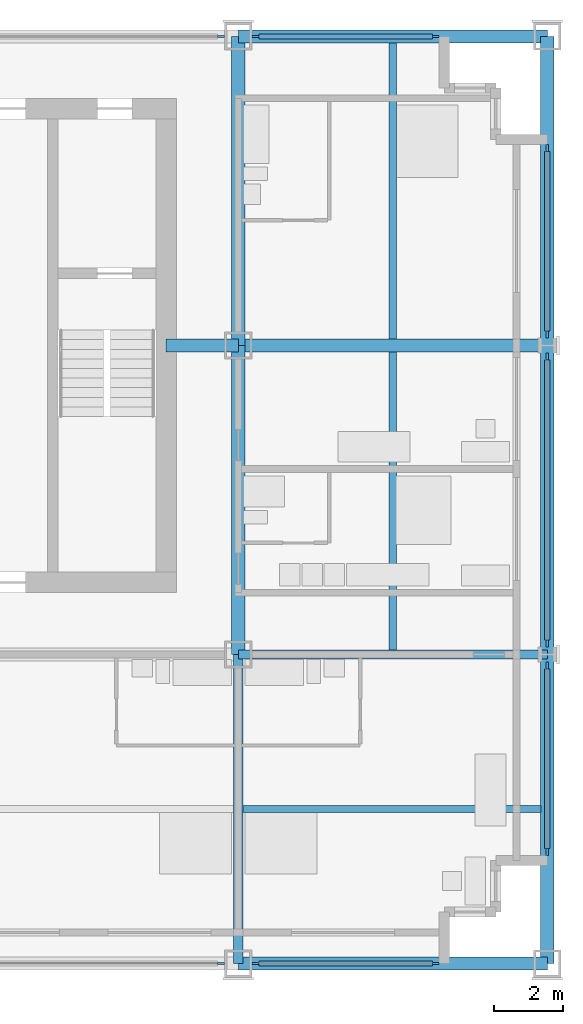
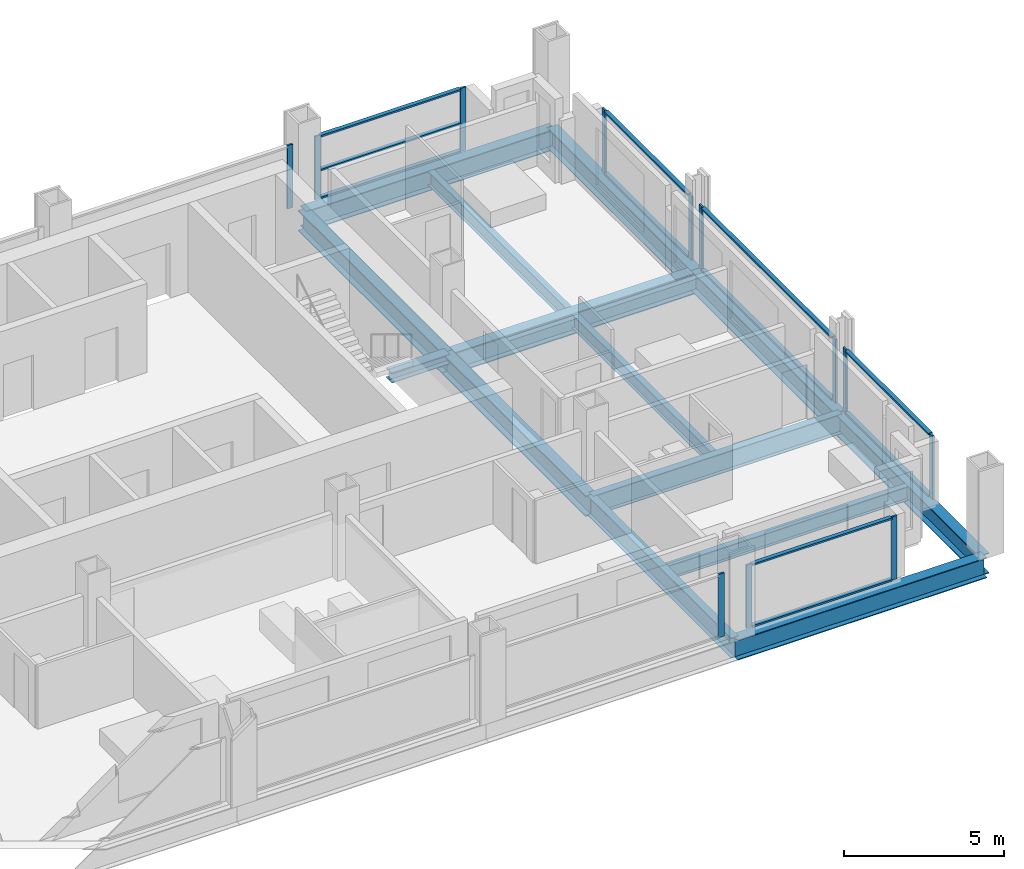
# One storey, part 5 of 13: 24 members, 13 beams, 7 elements without a shape of their own.
"""IFC4 building model written with IfcOpenShell, lengths in metres."""

import ifcopenshell
import ifcopenshell.guid

model = None  # the IFC model being written
_history = None  # IfcOwnerHistory: only IFC2X3 demands one
_inside = {}  # id of a spatial element -> (the spatial element, [elements in it])
_under = {}  # id of a project, library or spatial element -> (it, [spatial elements below it])
_declared = {}  # id of a project -> (the project, [libraries it declares])
_typed = {}  # id of a type object -> (the type object, [elements of that type])
_made_of = {}  # id of a material, layer set ... -> (it, [elements and type objects made of it])


def new_model(schema):
    """Start an empty IFC model of exactly this schema.

    Asked for "IFC4X3", IfcOpenShell would pick the latest addendum, in which some entities
    have other attributes; the version numbers below select the first issue.
    IFC2X3 requires an IfcOwnerHistory on every rooted entity: one is made here for all.
    """
    global model, _history
    if schema == "IFC4X3":
        model = ifcopenshell.file(schema_version=(4, 3, 0, 0))
    else:
        model = ifcopenshell.file(schema=schema)
    _inside.clear()
    _under.clear()
    _declared.clear()
    _typed.clear()
    _made_of.clear()
    _history = None
    if model.schema == "IFC2X3":
        org = make("IfcOrganization", Name="unknown")
        user = make(
            "IfcPersonAndOrganization",
            ThePerson=make("IfcPerson", FamilyName="unknown"),
            TheOrganization=org,
        )
        app = make(
            "IfcApplication",
            ApplicationDeveloper=org,
            Version="unknown",
            ApplicationFullName="unknown",
            ApplicationIdentifier="unknown",
        )
        _history = make(
            "IfcOwnerHistory",
            OwningUser=user,
            OwningApplication=app,
            ChangeAction="ADDED",
            CreationDate=0,
        )
    return model


def make(cls, **values):
    """One entity of the class cls with the attributes given. An attribute that is None is left unset."""
    return model.create_entity(
        cls, **{name: value for name, value in values.items() if value is not None}
    )


def rooted(cls, **values):
    """An entity with a GlobalId (a new one), such as an element, a storey or a relation."""
    return make(cls, GlobalId=ifcopenshell.guid.new(), OwnerHistory=_history, **values)


def si_unit(unit_type, name, prefix=None):
    """IfcSIUnit, for example si_unit("LENGTHUNIT", "METRE", prefix="MILLI")."""
    return make("IfcSIUnit", UnitType=unit_type, Prefix=prefix, Name=name)


def assignment(units):
    """IfcUnitAssignment: the units of a project."""
    return None if units is None else make("IfcUnitAssignment", Units=units)


def point(xyz):
    """IfcCartesianPoint."""
    return None if xyz is None else make("IfcCartesianPoint", Coordinates=xyz)


def direction(xyz):
    """IfcDirection."""
    return None if xyz is None else make("IfcDirection", DirectionRatios=xyz)


def frame(location, z_axis=None, x_axis=None):
    """IfcAxis2Placement3D, a coordinate frame: its origin and axes. An axis left out is left unset."""
    return make(
        "IfcAxis2Placement3D",
        Location=point(location),
        Axis=direction(z_axis),
        RefDirection=direction(x_axis),
    )


def frame_2d(location, x_axis=None):
    """IfcAxis2Placement2D, a coordinate frame in the plane: its origin and x axis."""
    return make(
        "IfcAxis2Placement2D", Location=point(location), RefDirection=direction(x_axis)
    )


def origin():
    """The frame at (0, 0, 0) with its axes left unset."""
    return frame((0.0, 0.0, 0.0))


def origin_2d():
    """The frame at (0, 0) in the plane with its x axis left unset."""
    return frame_2d((0.0, 0.0))


def place(relative_to, where):
    """IfcLocalPlacement: puts the frame where relative to a parent placement (None: the world)."""
    return make(
        "IfcLocalPlacement", PlacementRelTo=relative_to, RelativePlacement=where
    )


def context(
    kind, dimensions, precision=None, world=None, true_north=None, identifier=None
):
    """IfcGeometricRepresentationContext, for example the 3D "Model" context."""
    return make(
        "IfcGeometricRepresentationContext",
        ContextIdentifier=identifier,
        ContextType=kind,
        CoordinateSpaceDimension=dimensions,
        Precision=precision,
        WorldCoordinateSystem=world,
        TrueNorth=true_north,
    )


def subcontext(parent, identifier, kind, view, scale=None):
    """IfcGeometricRepresentationSubContext, for example "Body" below "Model"."""
    return make(
        "IfcGeometricRepresentationSubContext",
        ContextIdentifier=identifier,
        ContextType=kind,
        ParentContext=parent,
        TargetScale=scale,
        TargetView=view,
    )


def project(units=None, contexts=None):
    """IfcProject with its units and contexts."""
    return rooted(
        "IfcProject",
        Name="project",
        RepresentationContexts=contexts,
        UnitsInContext=assignment(units),
    )


def spatial(cls, under=None, at=None, **own):
    """A site, building, storey or space (cls), placed at a placement, below another one or the project."""
    s = rooted(cls, ObjectPlacement=at, **own)
    if under is not None:
        _under.setdefault(under.id(), (under, []))[1].append(s)
    return s


def profile(cls, at=None, kind="AREA", **sizes):
    """A parametric profile (cls). Its sizes go by their IFC names, for example OverallWidth=200.0."""
    return make(cls, ProfileType=kind, Position=at, **sizes)


def rectangle(**sizes):
    """IfcRectangleProfileDef."""
    return profile("IfcRectangleProfileDef", **sizes)


def i_section(**sizes):
    """IfcIShapeProfileDef."""
    return profile("IfcIShapeProfileDef", **sizes)


def extrude(swept, where, along, depth):
    """IfcExtrudedAreaSolid: the profile swept, set in the frame where, extruded along a direction by depth."""
    return make(
        "IfcExtrudedAreaSolid",
        SweptArea=swept,
        Position=where,
        ExtrudedDirection=direction(along),
        Depth=depth,
    )


def shape(context_of_items, identifier, shape_type, items):
    """IfcShapeRepresentation: the items that make up one representation, for example the "Body"."""
    return make(
        "IfcShapeRepresentation",
        ContextOfItems=context_of_items,
        RepresentationIdentifier=identifier,
        RepresentationType=shape_type,
        Items=items,
    )


def material(Name=None, Category=None):
    """IfcMaterial."""
    return make("IfcMaterial", Name=Name, Category=Category)


def material_profile(
    of_material, cross_section, Name=None, Category=None, Priority=None
):
    """IfcMaterialProfile: a cross section and its material."""
    return make(
        "IfcMaterialProfile",
        Name=Name,
        Material=of_material,
        Profile=cross_section,
        Priority=Priority,
        Category=Category,
    )


def profile_set(profiles, Name=None, composite=None):
    """IfcMaterialProfileSet."""
    return make(
        "IfcMaterialProfileSet",
        Name=Name,
        MaterialProfiles=profiles,
        CompositeProfile=composite,
    )


def made_of(thing, what):
    """Note that an element or type object is made of a material, layer set ...; save() writes the relation."""
    if what is not None:
        _made_of.setdefault(what.id(), (what, []))[1].append(thing)
    return thing


def type_object(cls, material=None, **own):
    """A type object (cls), such as IfcWallType, which elements share."""
    return made_of(rooted(cls, **own), material)


def element(
    cls,
    number,
    at=None,
    inside=None,
    cuts=None,
    type_object=None,
    material=None,
    context=None,
    identifier="Body",
    shape_type=None,
    held_by="IfcProductDefinitionShape",
    body=None,
    shapes=None,
    **own,
):
    """One element of the class cls, such as IfcWall. Its Tag is "e" and its number.

    at: its placement. inside: the storey or other place that contains it. cuts: it is an
    opening in that element (IfcRelVoidsElement). A single representation is given by context,
    identifier, shape_type and body (its items); several are given by shapes. held_by: the class
    of the entity that holds the representations. save() writes the other relations.
    """
    e = rooted(cls, Tag="e%d" % number, ObjectPlacement=at, **own)
    if body is not None:
        shapes = [shape(context, identifier, shape_type, body)]
    if shapes is not None:
        e.Representation = make(held_by, Representations=shapes)
    if inside is not None:
        _inside.setdefault(inside.id(), (inside, []))[1].append(e)
    if cuts is not None:
        rooted(
            "IfcRelVoidsElement", RelatingBuildingElement=cuts, RelatedOpeningElement=e
        )
    if type_object is not None:
        _typed.setdefault(type_object.id(), (type_object, []))[1].append(e)
    return made_of(e, material)


def aggregate(whole, parts):
    """IfcRelAggregates: a whole, such as a stair, and the parts it consists of."""
    return rooted("IfcRelAggregates", RelatingObject=whole, RelatedObjects=parts)


def save(model, path):
    """Write the relations noted so far, then the file.

    IfcRelAggregates (storeys below a building ...), IfcRelContainedInSpatialStructure (elements
    in a storey), IfcRelDefinesByType, IfcRelAssociatesMaterial and IfcRelDeclares: one each for
    every whole, place, type object, material and project.
    """
    for whole, parts in _under.values():
        aggregate(whole, parts)
    for where, things in _inside.values():
        rooted(
            "IfcRelContainedInSpatialStructure",
            RelatedElements=things,
            RelatingStructure=where,
        )
    for kind, things in _typed.values():
        rooted("IfcRelDefinesByType", RelatedObjects=things, RelatingType=kind)
    for what, things in _made_of.values():
        rooted("IfcRelAssociatesMaterial", RelatedObjects=things, RelatingMaterial=what)
    for by, libraries in _declared.values():
        rooted("IfcRelDeclares", RelatingContext=by, RelatedDefinitions=libraries)
    model.write(path)


model = new_model("IFC4")

# Units and contexts
model_context = context("Model", 3, precision=1e-05, world=origin(), true_north=direction((0.0, 1.0)))
body_context = subcontext(model_context, "Body", "Model", "MODEL_VIEW")
ifc_project = project(units=[si_unit("LENGTHUNIT", "METRE"), si_unit("AREAUNIT", "SQUARE_METRE"), si_unit("VOLUMEUNIT", "CUBIC_METRE"), si_unit("PLANEANGLEUNIT", "RADIAN"), si_unit("MASSUNIT", "GRAM", prefix="KILO")], contexts=[model_context])

# Site, building, storey
site_placement = place(None, origin())
site = spatial("IfcSite", under=ifc_project, at=site_placement, CompositionType="ELEMENT")
building_placement = place(site_placement, origin())
building = spatial("IfcBuilding", under=site, at=building_placement, Name="Loomwork Tower", CompositionType="ELEMENT")
storey_placement = place(building_placement, frame((0.0, 0.0, 177.39990234375)))
storey = spatial("IfcBuildingStorey", under=building, at=storey_placement, Name="L48", CompositionType="ELEMENT", Elevation=177.39990234375)

# Beams
ifc_material_1 = material(Name="Steel ASTM A992", Category="steel")
ifc_material_profile_1 = material_profile(ifc_material_1, i_section(OverallWidth=0.383544921875, OverallDepth=0.794921875, WebThickness=0.02099609375, FlangeThickness=0.0380859375, at=origin_2d()), Name="W30x235")
ifc_profile_set_1 = profile_set([ifc_material_profile_1], Name="Steel ASTM A992")
beam_type_1 = type_object("IfcBeamType", Name="CORE FLANK GIRDER W30x235", PredefinedType="BEAM", material=ifc_profile_set_1)
for number, where, z_axis, x_axis, name in (
    (1, (36.0, 18.0, -0.597412109375), (1.0, 0.0, 0.0), (0.0, 1.0, 0.0), "Core Flank Girder F/6-F/7 L48"),
    (2, (36.0, 9.0, -0.597412109375), (0.0, 1.0, 0.0), (-1.0, 0.0, 0.0), "Core Flank Girder E/6-F/6 L48"),
    (3, (36.0, 18.0, -0.597412109375), (0.0, 1.0, 0.0), (-1.0, 0.0, 0.0), "Core Flank Girder F/6-G/6 L48"),
):
    element("IfcBeam", number, at=place(storey_placement, frame(where, z_axis=z_axis, x_axis=x_axis)), inside=storey, type_object=beam_type_1, Name=name, PredefinedType="BEAM", context=body_context, shape_type="SweptSolid", body=[
        extrude(i_section(OverallWidth=0.383544921875, OverallDepth=0.794921875, WebThickness=0.02099609375, FlangeThickness=0.0380859375, at=origin_2d()), origin(), (0.0, 0.0, 1.0), 9.0),
    ])

# Member
ifc_material_2 = material(Name="Steel ASTM A992", Category="steel")
ifc_material_profile_2 = material_profile(ifc_material_2, i_section(OverallWidth=0.373291015625, OverallDepth=0.373291015625, WebThickness=0.016357421875, FlangeThickness=0.026123046875, at=origin_2d()), Name="W14x132")
ifc_profile_set_2 = profile_set([ifc_material_profile_2], Name="Steel ASTM A992")
member_type_1 = type_object("IfcMemberType", Name="CORE LINK STRUT W14x132", PredefinedType="STRUT", material=ifc_profile_set_2)
member_1_placement = place(storey_placement, frame((36.0, 18.0, -0.386474609375), z_axis=(-1.0, 0.0, 0.0), x_axis=(0.0, -1.0, 0.0)))
element("IfcMember", 4, at=member_1_placement, inside=storey, type_object=member_type_1, Name="Core link strut F/6-33.900,18.000 L48", PredefinedType="STRUT", context=body_context, shape_type="SweptSolid", body=[
    extrude(i_section(OverallWidth=0.373291015625, OverallDepth=0.373291015625, WebThickness=0.016357421875, FlangeThickness=0.026123046875, at=origin_2d()), origin(), (0.0, 0.0, 1.0), 2.10009765625),
])

# Beams
ifc_material_3 = material(Name="Steel ASTM A992", Category="steel")
ifc_material_profile_3 = material_profile(ifc_material_3, i_section(OverallWidth=0.2666015625, OverallDepth=0.761962890625, WebThickness=0.014404296875, FlangeThickness=0.021484375, at=origin_2d()), Name="W30x116")
ifc_profile_set_3 = profile_set([ifc_material_profile_3], Name="Steel ASTM A992")
beam_type_2 = type_object("IfcBeamType", Name="FLOOR GIRDER W30x116", PredefinedType="BEAM", material=ifc_profile_set_3)
for number, where, z_axis, x_axis, name in (
    (5, (36.0, 9.0, -0.580810546875), (1.0, 0.0, 0.0), (0.0, 1.0, 0.0), "Floor Girder E/6-E/7 L48"),
    (6, (36.0, 0.0, -0.580810546875), (0.0, 1.0, 0.0), (-1.0, 0.0, 0.0), "Floor Girder D/6-E/6 L48"),
):
    element("IfcBeam", number, at=place(storey_placement, frame(where, z_axis=z_axis, x_axis=x_axis)), inside=storey, type_object=beam_type_2, Name=name, PredefinedType="BEAM", context=body_context, shape_type="SweptSolid", body=[
        extrude(i_section(OverallWidth=0.2666015625, OverallDepth=0.761962890625, WebThickness=0.014404296875, FlangeThickness=0.021484375, at=origin_2d()), origin(), (0.0, 0.0, 1.0), 9.0),
    ])
ifc_material_4 = material(Name="Steel ASTM A992", Category="steel")
ifc_material_profile_4 = material_profile(ifc_material_4, i_section(OverallWidth=0.2109375, OverallDepth=0.53857421875, WebThickness=0.011474609375, FlangeThickness=0.018798828125, at=origin_2d()), Name="W21x73")
ifc_profile_set_4 = profile_set([ifc_material_profile_4], Name="Steel ASTM A992")
beam_type_3 = type_object("IfcBeamType", Name="FLOOR JOIST W21x73", PredefinedType="JOIST", material=ifc_profile_set_4)
beam_1_placement = place(storey_placement, frame((36.133056640625, 4.5, -0.46923828125), z_axis=(1.0, 0.0, 0.0), x_axis=(0.0, 1.0, 0.0)))
element("IfcBeam", 7, at=beam_1_placement, inside=storey, type_object=beam_type_3, Name="Floor Joist 36.000,4.500-45.000,4.500 L48", PredefinedType="JOIST", context=body_context, shape_type="SweptSolid", body=[
    extrude(i_section(OverallWidth=0.2109375, OverallDepth=0.53857421875, WebThickness=0.011474609375, FlangeThickness=0.018798828125, at=origin_2d()), origin(), (0.0, 0.0, 1.0), 8.677001953125),
])
beam_2_placement = place(storey_placement, frame((40.5, 9.133056640625, -0.46923828125), z_axis=(0.0, 1.0, 0.0), x_axis=(-1.0, 0.0, 0.0)))
element("IfcBeam", 8, at=beam_2_placement, inside=storey, type_object=beam_type_3, Name="Floor Joist 40.500,9.000-40.500,18.000 L48", PredefinedType="JOIST", context=body_context, shape_type="SweptSolid", body=[
    extrude(i_section(OverallWidth=0.2109375, OverallDepth=0.53857421875, WebThickness=0.011474609375, FlangeThickness=0.018798828125, at=origin_2d()), origin(), (0.0, 0.0, 1.0), 8.676025390625),
])
beam_3_placement = place(storey_placement, frame((40.5, 18.19091796875, -0.46923828125), z_axis=(0.0, 1.0, 0.0), x_axis=(-1.0, 0.0, 0.0)))
element("IfcBeam", 9, at=beam_3_placement, inside=storey, type_object=beam_type_3, Name="Floor Joist 40.500,18.000-40.500,27.000 L48", PredefinedType="JOIST", context=body_context, shape_type="SweptSolid", body=[
    extrude(i_section(OverallWidth=0.2109375, OverallDepth=0.53857421875, WebThickness=0.011474609375, FlangeThickness=0.018798828125, at=origin_2d()), origin(), (0.0, 0.0, 1.0), 8.619140625),
])

# Curtain wall, member
ifc_material_5 = material(Name="Aluminium curtain wall frame", Category="aluminium")
curtain_wall_type_1 = type_object("IfcCurtainWallType", Name="Outer skin glazing hotel", PredefinedType="NOTDEFINED", material=ifc_material_5)
curtain_wall_1_placement = place(storey_placement, origin())
curtain_wall_1 = element("IfcCurtainWall", 10, at=curtain_wall_1_placement, inside=storey, type_object=curtain_wall_type_1, Name="Outer skin glazing hotel cw/S-27", PredefinedType="NOTDEFINED")
ifc_material_6 = material(Name="Aluminium curtain wall frame", Category="aluminium")
ifc_material_profile_5 = material_profile(ifc_material_6, rectangle(XDim=0.06494140625, YDim=0.199951171875, at=origin_2d()), Name="AL 65x200")
ifc_profile_set_5 = profile_set([ifc_material_profile_5], Name="Aluminium curtain wall frame")
member_type_2 = type_object("IfcMemberType", Name="Outer skin glazing hotel mullion", PredefinedType="MULLION", material=ifc_profile_set_5)
member_2_placement = place(storey_placement, frame((35.5, 0.0, 0.0), z_axis=(0.0, 0.0, 1.0), x_axis=(0.0, 1.0, 0.0)))
member_2 = element("IfcMember", 11, at=member_2_placement, type_object=member_type_2, Name="CW1 mullion 2", PredefinedType="MULLION", context=body_context, shape_type="SweptSolid", body=[
    extrude(rectangle(XDim=0.06494140625, YDim=0.199951171875, at=origin_2d()), origin(), (0.0, 0.0, 1.0), 2.42041015625),
])
aggregate(curtain_wall_1, [member_2])

# Curtain wall, members
curtain_wall_2_placement = place(storey_placement, origin())
curtain_wall_2 = element("IfcCurtainWall", 12, at=curtain_wall_2_placement, inside=storey, type_object=curtain_wall_type_1, Name="Outer skin glazing hotel cw/S-36", PredefinedType="NOTDEFINED")
member_3_placement = place(storey_placement, frame((36.5, 0.0, 0.0), z_axis=(0.0, 0.0, 1.0), x_axis=(0.0, 1.0, 0.0)))
member_3 = element("IfcMember", 13, at=member_3_placement, type_object=member_type_2, Name="CW1 mullion 1", PredefinedType="MULLION", context=body_context, shape_type="SweptSolid", body=[
    extrude(rectangle(XDim=0.06494140625, YDim=0.199951171875, at=origin_2d()), origin(), (0.0, 0.0, 1.0), 2.42041015625),
])
member_4_placement = place(storey_placement, frame((41.75, 0.0, 0.0), z_axis=(0.0, 0.0, 1.0), x_axis=(0.0, 1.0, 0.0)))
member_4 = element("IfcMember", 14, at=member_4_placement, type_object=member_type_2, Name="CW1 mullion 2", PredefinedType="MULLION", context=body_context, shape_type="SweptSolid", body=[
    extrude(rectangle(XDim=0.06494140625, YDim=0.199951171875, at=origin_2d()), origin(), (0.0, 0.0, 1.0), 2.42041015625),
])

curtain_wall_3_placement = place(storey_placement, origin())
curtain_wall_3 = element("IfcCurtainWall", 15, at=curtain_wall_3_placement, inside=storey, type_object=curtain_wall_type_1, Name="Outer skin glazing hotel cw/E-0", PredefinedType="NOTDEFINED")
member_5_placement = place(storey_placement, frame((45.0, 3.25, 0.0), z_axis=(0.0, 0.0, 1.0), x_axis=(-1.0, 0.0, 0.0)))
member_5 = element("IfcMember", 16, at=member_5_placement, type_object=member_type_2, Name="CW1 mullion 1", PredefinedType="MULLION", context=body_context, shape_type="SweptSolid", body=[
    extrude(rectangle(XDim=0.06494140625, YDim=0.199951171875, at=origin_2d()), origin(), (0.0, 0.0, 1.0), 2.42041015625),
])
member_6_placement = place(storey_placement, frame((45.0, 8.67529296875, 0.0), z_axis=(0.0, 0.0, 1.0), x_axis=(-1.0, 0.0, 0.0)))
member_6 = element("IfcMember", 17, at=member_6_placement, type_object=member_type_2, Name="CW1 mullion 2", PredefinedType="MULLION", context=body_context, shape_type="SweptSolid", body=[
    extrude(rectangle(XDim=0.06494140625, YDim=0.199951171875, at=origin_2d()), origin(), (0.0, 0.0, 1.0), 2.42041015625),
])

curtain_wall_4_placement = place(storey_placement, origin())
curtain_wall_4 = element("IfcCurtainWall", 18, at=curtain_wall_4_placement, inside=storey, type_object=curtain_wall_type_1, Name="Outer skin glazing hotel cw/E-9", PredefinedType="NOTDEFINED")
member_7_placement = place(storey_placement, frame((45.0, 9.32470703125, 0.0), z_axis=(0.0, 0.0, 1.0), x_axis=(-1.0, 0.0, 0.0)))
member_7 = element("IfcMember", 19, at=member_7_placement, type_object=member_type_2, Name="CW1 mullion 1", PredefinedType="MULLION", context=body_context, shape_type="SweptSolid", body=[
    extrude(rectangle(XDim=0.06494140625, YDim=0.199951171875, at=origin_2d()), origin(), (0.0, 0.0, 1.0), 2.42041015625),
])
member_8_placement = place(storey_placement, frame((45.0, 17.67529296875, 0.0), z_axis=(0.0, 0.0, 1.0), x_axis=(-1.0, 0.0, 0.0)))
member_8 = element("IfcMember", 20, at=member_8_placement, type_object=member_type_2, Name="CW1 mullion 2", PredefinedType="MULLION", context=body_context, shape_type="SweptSolid", body=[
    extrude(rectangle(XDim=0.06494140625, YDim=0.199951171875, at=origin_2d()), origin(), (0.0, 0.0, 1.0), 2.42041015625),
])

curtain_wall_5_placement = place(storey_placement, origin())
curtain_wall_5 = element("IfcCurtainWall", 21, at=curtain_wall_5_placement, inside=storey, type_object=curtain_wall_type_1, Name="Outer skin glazing hotel cw/E-18", PredefinedType="NOTDEFINED")
member_9_placement = place(storey_placement, frame((45.0, 18.32470703125, 0.0), z_axis=(0.0, 0.0, 1.0), x_axis=(-1.0, 0.0, 0.0)))
member_9 = element("IfcMember", 22, at=member_9_placement, type_object=member_type_2, Name="CW1 mullion 1", PredefinedType="MULLION", context=body_context, shape_type="SweptSolid", body=[
    extrude(rectangle(XDim=0.06494140625, YDim=0.199951171875, at=origin_2d()), origin(), (0.0, 0.0, 1.0), 2.42041015625),
])
member_10_placement = place(storey_placement, frame((45.0, 23.75, 0.0), z_axis=(0.0, 0.0, 1.0), x_axis=(-1.0, 0.0, 0.0)))
member_10 = element("IfcMember", 23, at=member_10_placement, type_object=member_type_2, Name="CW1 mullion 2", PredefinedType="MULLION", context=body_context, shape_type="SweptSolid", body=[
    extrude(rectangle(XDim=0.06494140625, YDim=0.199951171875, at=origin_2d()), origin(), (0.0, 0.0, 1.0), 2.42041015625),
])

# Member
ifc_material_7 = material(Name="Aluminium curtain wall frame", Category="aluminium")
ifc_material_profile_6 = material_profile(ifc_material_7, rectangle(XDim=0.14990234375, YDim=0.06494140625, at=origin_2d()), Name="AL 65x150")
ifc_profile_set_6 = profile_set([ifc_material_profile_6], Name="Aluminium curtain wall frame")
member_type_3 = type_object("IfcMemberType", Name="Outer skin glazing hotel transom", PredefinedType="USERDEFINED", material=ifc_profile_set_6)
member_11_placement = place(storey_placement, frame((36.60009765625, 0.0, 0.03271484375), z_axis=(1.0, 0.0, 0.0), x_axis=(0.0, 1.0, 0.0)))
member_11 = element("IfcMember", 24, at=member_11_placement, type_object=member_type_3, Name="CW1 transom 1.1", ObjectType="TRANSOM", PredefinedType="USERDEFINED", context=body_context, shape_type="SweptSolid", body=[
    extrude(rectangle(XDim=0.14990234375, YDim=0.06494140625, at=origin_2d()), origin(), (0.0, 0.0, 1.0), 5.0498046875),
])

member_12_placement = place(storey_placement, frame((36.60009765625, 0.0, 2.3876953125), z_axis=(1.0, 0.0, 0.0), x_axis=(0.0, 1.0, 0.0)))
member_12 = element("IfcMember", 25, at=member_12_placement, type_object=member_type_3, Name="CW1 transom 1.2", ObjectType="TRANSOM", PredefinedType="USERDEFINED", context=body_context, shape_type="SweptSolid", body=[
    extrude(rectangle(XDim=0.14990234375, YDim=0.06494140625, at=origin_2d()), origin(), (0.0, 0.0, 1.0), 5.0498046875),
])

aggregate(curtain_wall_2, [member_3, member_4, member_11, member_12])

member_13_placement = place(storey_placement, frame((45.0, 3.35009765625, 0.03271484375), z_axis=(0.0, 1.0, 0.0), x_axis=(-1.0, 0.0, 0.0)))
member_13 = element("IfcMember", 26, at=member_13_placement, type_object=member_type_3, Name="CW1 transom 1.1", ObjectType="TRANSOM", PredefinedType="USERDEFINED", context=body_context, shape_type="SweptSolid", body=[
    extrude(rectangle(XDim=0.14990234375, YDim=0.06494140625, at=origin_2d()), origin(), (0.0, 0.0, 1.0), 5.22509765625),
])

member_14_placement = place(storey_placement, frame((45.0, 3.35009765625, 2.3876953125), z_axis=(0.0, 1.0, 0.0), x_axis=(-1.0, 0.0, 0.0)))
member_14 = element("IfcMember", 27, at=member_14_placement, type_object=member_type_3, Name="CW1 transom 1.2", ObjectType="TRANSOM", PredefinedType="USERDEFINED", context=body_context, shape_type="SweptSolid", body=[
    extrude(rectangle(XDim=0.14990234375, YDim=0.06494140625, at=origin_2d()), origin(), (0.0, 0.0, 1.0), 5.22509765625),
])

aggregate(curtain_wall_3, [member_5, member_6, member_13, member_14])

member_15_placement = place(storey_placement, frame((45.0, 9.4248046875, 0.03271484375), z_axis=(0.0, 1.0, 0.0), x_axis=(-1.0, 0.0, 0.0)))
member_15 = element("IfcMember", 28, at=member_15_placement, type_object=member_type_3, Name="CW1 transom 1.1", ObjectType="TRANSOM", PredefinedType="USERDEFINED", context=body_context, shape_type="SweptSolid", body=[
    extrude(rectangle(XDim=0.14990234375, YDim=0.06494140625, at=origin_2d()), origin(), (0.0, 0.0, 1.0), 8.150390625),
])

member_16_placement = place(storey_placement, frame((45.0, 9.4248046875, 2.3876953125), z_axis=(0.0, 1.0, 0.0), x_axis=(-1.0, 0.0, 0.0)))
member_16 = element("IfcMember", 29, at=member_16_placement, type_object=member_type_3, Name="CW1 transom 1.2", ObjectType="TRANSOM", PredefinedType="USERDEFINED", context=body_context, shape_type="SweptSolid", body=[
    extrude(rectangle(XDim=0.14990234375, YDim=0.06494140625, at=origin_2d()), origin(), (0.0, 0.0, 1.0), 8.150390625),
])

aggregate(curtain_wall_4, [member_7, member_8, member_15, member_16])

member_17_placement = place(storey_placement, frame((45.0, 18.4248046875, 0.03271484375), z_axis=(0.0, 1.0, 0.0), x_axis=(-1.0, 0.0, 0.0)))
member_17 = element("IfcMember", 30, at=member_17_placement, type_object=member_type_3, Name="CW1 transom 1.1", ObjectType="TRANSOM", PredefinedType="USERDEFINED", context=body_context, shape_type="SweptSolid", body=[
    extrude(rectangle(XDim=0.14990234375, YDim=0.06494140625, at=origin_2d()), origin(), (0.0, 0.0, 1.0), 5.22509765625),
])

member_18_placement = place(storey_placement, frame((45.0, 18.4248046875, 2.3876953125), z_axis=(0.0, 1.0, 0.0), x_axis=(-1.0, 0.0, 0.0)))
member_18 = element("IfcMember", 31, at=member_18_placement, type_object=member_type_3, Name="CW1 transom 1.2", ObjectType="TRANSOM", PredefinedType="USERDEFINED", context=body_context, shape_type="SweptSolid", body=[
    extrude(rectangle(XDim=0.14990234375, YDim=0.06494140625, at=origin_2d()), origin(), (0.0, 0.0, 1.0), 5.22509765625),
])

aggregate(curtain_wall_5, [member_9, member_10, member_17, member_18])

# Beams
ifc_material_8 = material(Name="Steel ASTM A992", Category="steel")
ifc_material_profile_7 = material_profile(ifc_material_8, i_section(OverallWidth=0.381103515625, OverallDepth=0.77978515625, WebThickness=0.01806640625, FlangeThickness=0.0302734375, at=origin_2d()), Name="W30x191")
ifc_profile_set_7 = profile_set([ifc_material_profile_7], Name="Steel ASTM A992")
beam_type_4 = type_object("IfcBeamType", Name="SPANDREL GIRDER W30x191", PredefinedType="SPANDREL", material=ifc_profile_set_7)
for number, where, z_axis, x_axis, name in (
    (32, (36.0, 0.0, -0.58984375), (1.0, 0.0, 0.0), (0.0, 1.0, 0.0), "Spandrel Girder D/6-D/7 L48"),
    (33, (36.0, 27.0, -0.58984375), (1.0, 0.0, 0.0), (0.0, 1.0, 0.0), "Spandrel Girder G/6-G/7 L48"),
    (34, (45.0, 0.0, -0.58984375), (0.0, 1.0, 0.0), (-1.0, 0.0, 0.0), "Spandrel Girder D/7-E/7 L48"),
    (35, (45.0, 9.0, -0.58984375), (0.0, 1.0, 0.0), (-1.0, 0.0, 0.0), "Spandrel Girder E/7-F/7 L48"),
    (36, (45.0, 18.0, -0.58984375), (0.0, 1.0, 0.0), (-1.0, 0.0, 0.0), "Spandrel Girder F/7-G/7 L48"),
):
    element("IfcBeam", number, at=place(storey_placement, frame(where, z_axis=z_axis, x_axis=x_axis)), inside=storey, type_object=beam_type_4, Name=name, PredefinedType="SPANDREL", context=body_context, shape_type="SweptSolid", body=[
        extrude(i_section(OverallWidth=0.381103515625, OverallDepth=0.77978515625, WebThickness=0.01806640625, FlangeThickness=0.0302734375, at=origin_2d()), origin(), (0.0, 0.0, 1.0), 9.0),
    ])

# Curtain wall, member
ifc_material_9 = material(Name="Aluminium curtain wall frame", Category="aluminium")
curtain_wall_type_2 = type_object("IfcCurtainWallType", Name="Single skin glazing corridor", PredefinedType="NOTDEFINED", material=ifc_material_9)
curtain_wall_6_placement = place(storey_placement, origin())
curtain_wall_6 = element("IfcCurtainWall", 37, at=curtain_wall_6_placement, inside=storey, type_object=curtain_wall_type_2, Name="Single skin glazing corridor cw/N-27", PredefinedType="NOTDEFINED")
ifc_material_10 = material(Name="Aluminium curtain wall frame", Category="aluminium")
ifc_material_profile_8 = material_profile(ifc_material_10, rectangle(XDim=0.06494140625, YDim=0.199951171875, at=origin_2d()), Name="AL 65x200")
ifc_profile_set_8 = profile_set([ifc_material_profile_8], Name="Aluminium curtain wall frame")
member_type_4 = type_object("IfcMemberType", Name="Single skin glazing corridor mullion", PredefinedType="MULLION", material=ifc_profile_set_8)
member_19_placement = place(storey_placement, frame((35.5, 27.0, 0.0), z_axis=(0.0, 0.0, 1.0), x_axis=(0.0, -1.0, 0.0)))
member_19 = element("IfcMember", 38, at=member_19_placement, type_object=member_type_4, Name="CW3 mullion 1", PredefinedType="MULLION", context=body_context, shape_type="SweptSolid", body=[
    extrude(rectangle(XDim=0.06494140625, YDim=0.199951171875, at=origin_2d()), origin(), (0.0, 0.0, 1.0), 2.42041015625),
])
aggregate(curtain_wall_6, [member_19])

# Curtain wall, members
curtain_wall_7_placement = place(storey_placement, origin())
curtain_wall_7 = element("IfcCurtainWall", 39, at=curtain_wall_7_placement, inside=storey, type_object=curtain_wall_type_2, Name="Single skin glazing corridor cw/N-36", PredefinedType="NOTDEFINED")
member_20_placement = place(storey_placement, frame((41.75, 27.0, 0.0), z_axis=(0.0, 0.0, 1.0), x_axis=(0.0, -1.0, 0.0)))
member_20 = element("IfcMember", 40, at=member_20_placement, type_object=member_type_4, Name="CW3 mullion 1", PredefinedType="MULLION", context=body_context, shape_type="SweptSolid", body=[
    extrude(rectangle(XDim=0.06494140625, YDim=0.199951171875, at=origin_2d()), origin(), (0.0, 0.0, 1.0), 2.42041015625),
])
member_21_placement = place(storey_placement, frame((36.5, 27.0, 0.0), z_axis=(0.0, 0.0, 1.0), x_axis=(0.0, -1.0, 0.0)))
member_21 = element("IfcMember", 41, at=member_21_placement, type_object=member_type_4, Name="CW3 mullion 2", PredefinedType="MULLION", context=body_context, shape_type="SweptSolid", body=[
    extrude(rectangle(XDim=0.06494140625, YDim=0.199951171875, at=origin_2d()), origin(), (0.0, 0.0, 1.0), 2.42041015625),
])
ifc_material_11 = material(Name="Aluminium curtain wall frame", Category="aluminium")
ifc_material_profile_9 = material_profile(ifc_material_11, rectangle(XDim=0.14990234375, YDim=0.06494140625, at=origin_2d()), Name="AL 65x150")
ifc_profile_set_9 = profile_set([ifc_material_profile_9], Name="Aluminium curtain wall frame")
member_type_5 = type_object("IfcMemberType", Name="Single skin glazing corridor transom", PredefinedType="USERDEFINED", material=ifc_profile_set_9)
member_22_placement = place(storey_placement, frame((41.64990234375, 27.0, 0.03271484375), z_axis=(-1.0, 0.0, 0.0), x_axis=(0.0, -1.0, 0.0)))
member_22 = element("IfcMember", 42, at=member_22_placement, type_object=member_type_5, Name="CW3 transom 1.1", ObjectType="TRANSOM", PredefinedType="USERDEFINED", context=body_context, shape_type="SweptSolid", body=[
    extrude(rectangle(XDim=0.14990234375, YDim=0.06494140625, at=origin_2d()), origin(), (0.0, 0.0, 1.0), 5.0498046875),
])
member_23_placement = place(storey_placement, frame((41.64990234375, 27.0, 1.10009765625), z_axis=(-1.0, 0.0, 0.0), x_axis=(0.0, -1.0, 0.0)))
member_23 = element("IfcMember", 43, at=member_23_placement, type_object=member_type_5, Name="CW3 transom 1.2", ObjectType="TRANSOM", PredefinedType="USERDEFINED", context=body_context, shape_type="SweptSolid", body=[
    extrude(rectangle(XDim=0.14990234375, YDim=0.06494140625, at=origin_2d()), origin(), (0.0, 0.0, 1.0), 5.0498046875),
])
member_24_placement = place(storey_placement, frame((41.64990234375, 27.0, 2.3876953125), z_axis=(-1.0, 0.0, 0.0), x_axis=(0.0, -1.0, 0.0)))
member_24 = element("IfcMember", 44, at=member_24_placement, type_object=member_type_5, Name="CW3 transom 1.3", ObjectType="TRANSOM", PredefinedType="USERDEFINED", context=body_context, shape_type="SweptSolid", body=[
    extrude(rectangle(XDim=0.14990234375, YDim=0.06494140625, at=origin_2d()), origin(), (0.0, 0.0, 1.0), 5.0498046875),
])
aggregate(curtain_wall_7, [member_20, member_21, member_22, member_23, member_24])

save(model, "model.ifc")
